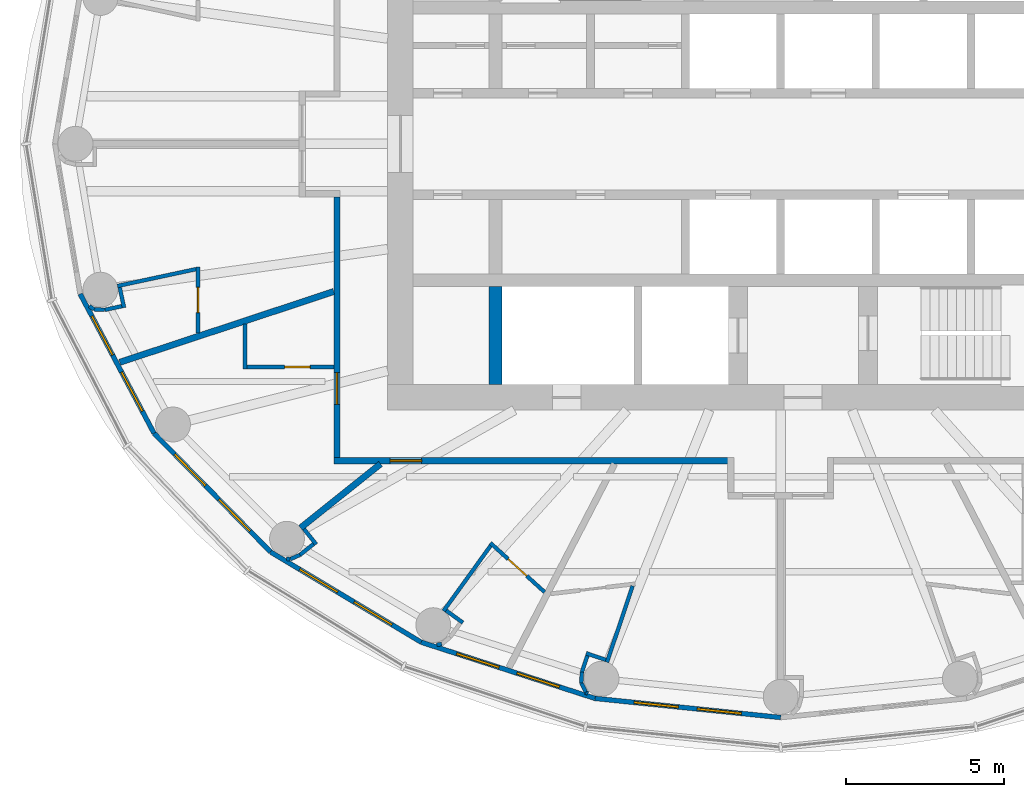
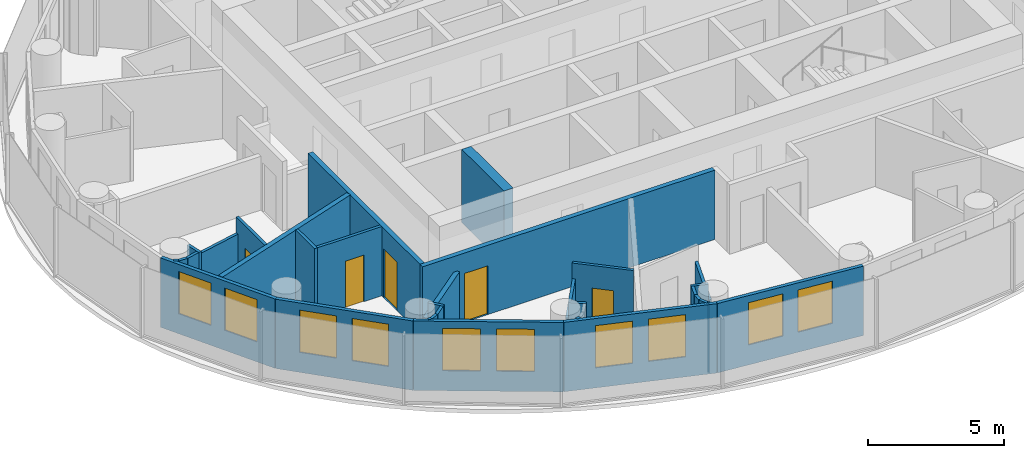
# One storey, part 6 of 13: 32 walls, 10 windows, 5 doors, 15 openings.
"""IFC4 building model written with IfcOpenShell, lengths in metres."""

import ifcopenshell
import ifcopenshell.guid

model = None  # the IFC model being written
_history = None  # IfcOwnerHistory: only IFC2X3 demands one
_inside = {}  # id of a spatial element -> (the spatial element, [elements in it])
_under = {}  # id of a project, library or spatial element -> (it, [spatial elements below it])
_declared = {}  # id of a project -> (the project, [libraries it declares])
_typed = {}  # id of a type object -> (the type object, [elements of that type])
_made_of = {}  # id of a material, layer set ... -> (it, [elements and type objects made of it])


def new_model(schema):
    """Start an empty IFC model of exactly this schema.

    Asked for "IFC4X3", IfcOpenShell would pick the latest addendum, in which some entities
    have other attributes; the version numbers below select the first issue.
    IFC2X3 requires an IfcOwnerHistory on every rooted entity: one is made here for all.
    """
    global model, _history
    if schema == "IFC4X3":
        model = ifcopenshell.file(schema_version=(4, 3, 0, 0))
    else:
        model = ifcopenshell.file(schema=schema)
    _inside.clear()
    _under.clear()
    _declared.clear()
    _typed.clear()
    _made_of.clear()
    _history = None
    if model.schema == "IFC2X3":
        org = make("IfcOrganization", Name="unknown")
        user = make(
            "IfcPersonAndOrganization",
            ThePerson=make("IfcPerson", FamilyName="unknown"),
            TheOrganization=org,
        )
        app = make(
            "IfcApplication",
            ApplicationDeveloper=org,
            Version="unknown",
            ApplicationFullName="unknown",
            ApplicationIdentifier="unknown",
        )
        _history = make(
            "IfcOwnerHistory",
            OwningUser=user,
            OwningApplication=app,
            ChangeAction="ADDED",
            CreationDate=0,
        )
    return model


def make(cls, **values):
    """One entity of the class cls with the attributes given. An attribute that is None is left unset."""
    return model.create_entity(
        cls, **{name: value for name, value in values.items() if value is not None}
    )


def rooted(cls, **values):
    """An entity with a GlobalId (a new one), such as an element, a storey or a relation."""
    return make(cls, GlobalId=ifcopenshell.guid.new(), OwnerHistory=_history, **values)


def si_unit(unit_type, name, prefix=None):
    """IfcSIUnit, for example si_unit("LENGTHUNIT", "METRE", prefix="MILLI")."""
    return make("IfcSIUnit", UnitType=unit_type, Prefix=prefix, Name=name)


def assignment(units):
    """IfcUnitAssignment: the units of a project."""
    return None if units is None else make("IfcUnitAssignment", Units=units)


def point(xyz):
    """IfcCartesianPoint."""
    return None if xyz is None else make("IfcCartesianPoint", Coordinates=xyz)


def direction(xyz):
    """IfcDirection."""
    return None if xyz is None else make("IfcDirection", DirectionRatios=xyz)


def frame(location, z_axis=None, x_axis=None):
    """IfcAxis2Placement3D, a coordinate frame: its origin and axes. An axis left out is left unset."""
    return make(
        "IfcAxis2Placement3D",
        Location=point(location),
        Axis=direction(z_axis),
        RefDirection=direction(x_axis),
    )


def frame_2d(location, x_axis=None):
    """IfcAxis2Placement2D, a coordinate frame in the plane: its origin and x axis."""
    return make(
        "IfcAxis2Placement2D", Location=point(location), RefDirection=direction(x_axis)
    )


def origin():
    """The frame at (0, 0, 0) with its axes left unset."""
    return frame((0.0, 0.0, 0.0))


def place(relative_to, where):
    """IfcLocalPlacement: puts the frame where relative to a parent placement (None: the world)."""
    return make(
        "IfcLocalPlacement", PlacementRelTo=relative_to, RelativePlacement=where
    )


def context(
    kind, dimensions, precision=None, world=None, true_north=None, identifier=None
):
    """IfcGeometricRepresentationContext, for example the 3D "Model" context."""
    return make(
        "IfcGeometricRepresentationContext",
        ContextIdentifier=identifier,
        ContextType=kind,
        CoordinateSpaceDimension=dimensions,
        Precision=precision,
        WorldCoordinateSystem=world,
        TrueNorth=true_north,
    )


def subcontext(parent, identifier, kind, view, scale=None):
    """IfcGeometricRepresentationSubContext, for example "Body" below "Model"."""
    return make(
        "IfcGeometricRepresentationSubContext",
        ContextIdentifier=identifier,
        ContextType=kind,
        ParentContext=parent,
        TargetScale=scale,
        TargetView=view,
    )


def project(units=None, contexts=None):
    """IfcProject with its units and contexts."""
    return rooted(
        "IfcProject",
        Name="project",
        RepresentationContexts=contexts,
        UnitsInContext=assignment(units),
    )


def spatial(cls, under=None, at=None, **own):
    """A site, building, storey or space (cls), placed at a placement, below another one or the project."""
    s = rooted(cls, ObjectPlacement=at, **own)
    if under is not None:
        _under.setdefault(under.id(), (under, []))[1].append(s)
    return s


def profile(cls, at=None, kind="AREA", **sizes):
    """A parametric profile (cls). Its sizes go by their IFC names, for example OverallWidth=200.0."""
    return make(cls, ProfileType=kind, Position=at, **sizes)


def rectangle(**sizes):
    """IfcRectangleProfileDef."""
    return profile("IfcRectangleProfileDef", **sizes)


def extrude(swept, where, along, depth):
    """IfcExtrudedAreaSolid: the profile swept, set in the frame where, extruded along a direction by depth."""
    return make(
        "IfcExtrudedAreaSolid",
        SweptArea=swept,
        Position=where,
        ExtrudedDirection=direction(along),
        Depth=depth,
    )


def shape(context_of_items, identifier, shape_type, items):
    """IfcShapeRepresentation: the items that make up one representation, for example the "Body"."""
    return make(
        "IfcShapeRepresentation",
        ContextOfItems=context_of_items,
        RepresentationIdentifier=identifier,
        RepresentationType=shape_type,
        Items=items,
    )


def material(Name=None, Category=None):
    """IfcMaterial."""
    return make("IfcMaterial", Name=Name, Category=Category)


def layer(
    of_material, thickness, ventilated=None, Name=None, Category=None, Priority=None
):
    """IfcMaterialLayer: one layer of a wall or slab, of a material (None: an air gap)."""
    return make(
        "IfcMaterialLayer",
        Material=of_material,
        LayerThickness=thickness,
        IsVentilated=ventilated,
        Name=Name,
        Category=Category,
        Priority=Priority,
    )


def layer_set(layers, Name=None):
    """IfcMaterialLayerSet."""
    return make("IfcMaterialLayerSet", MaterialLayers=layers, LayerSetName=Name)


def made_of(thing, what):
    """Note that an element or type object is made of a material, layer set ...; save() writes the relation."""
    if what is not None:
        _made_of.setdefault(what.id(), (what, []))[1].append(thing)
    return thing


def type_object(cls, material=None, **own):
    """A type object (cls), such as IfcWallType, which elements share."""
    return made_of(rooted(cls, **own), material)


def element(
    cls,
    number,
    at=None,
    inside=None,
    cuts=None,
    type_object=None,
    material=None,
    context=None,
    identifier="Body",
    shape_type=None,
    held_by="IfcProductDefinitionShape",
    body=None,
    shapes=None,
    **own,
):
    """One element of the class cls, such as IfcWall. Its Tag is "e" and its number.

    at: its placement. inside: the storey or other place that contains it. cuts: it is an
    opening in that element (IfcRelVoidsElement). A single representation is given by context,
    identifier, shape_type and body (its items); several are given by shapes. held_by: the class
    of the entity that holds the representations. save() writes the other relations.
    """
    e = rooted(cls, Tag="e%d" % number, ObjectPlacement=at, **own)
    if body is not None:
        shapes = [shape(context, identifier, shape_type, body)]
    if shapes is not None:
        e.Representation = make(held_by, Representations=shapes)
    if inside is not None:
        _inside.setdefault(inside.id(), (inside, []))[1].append(e)
    if cuts is not None:
        rooted(
            "IfcRelVoidsElement", RelatingBuildingElement=cuts, RelatedOpeningElement=e
        )
    if type_object is not None:
        _typed.setdefault(type_object.id(), (type_object, []))[1].append(e)
    return made_of(e, material)


def fill(opening, filler):
    """IfcRelFillsElement: the door or window that sits in an opening."""
    return rooted(
        "IfcRelFillsElement",
        RelatingOpeningElement=opening,
        RelatedBuildingElement=filler,
    )


def aggregate(whole, parts):
    """IfcRelAggregates: a whole, such as a stair, and the parts it consists of."""
    return rooted("IfcRelAggregates", RelatingObject=whole, RelatedObjects=parts)


def save(model, path):
    """Write the relations noted so far, then the file.

    IfcRelAggregates (storeys below a building ...), IfcRelContainedInSpatialStructure (elements
    in a storey), IfcRelDefinesByType, IfcRelAssociatesMaterial and IfcRelDeclares: one each for
    every whole, place, type object, material and project.
    """
    for whole, parts in _under.values():
        aggregate(whole, parts)
    for where, things in _inside.values():
        rooted(
            "IfcRelContainedInSpatialStructure",
            RelatedElements=things,
            RelatingStructure=where,
        )
    for kind, things in _typed.values():
        rooted("IfcRelDefinesByType", RelatedObjects=things, RelatingType=kind)
    for what, things in _made_of.values():
        rooted("IfcRelAssociatesMaterial", RelatedObjects=things, RelatingMaterial=what)
    for by, libraries in _declared.values():
        rooted("IfcRelDeclares", RelatingContext=by, RelatedDefinitions=libraries)
    model.write(path)


model = new_model("IFC4")

# Units and contexts
model_context = context("Model", 3, precision=1e-05, world=origin(), true_north=direction((0.0, 1.0)))
body_context = subcontext(model_context, "Body", "Model", "MODEL_VIEW")
ifc_project = project(units=[si_unit("LENGTHUNIT", "METRE"), si_unit("AREAUNIT", "SQUARE_METRE"), si_unit("VOLUMEUNIT", "CUBIC_METRE"), si_unit("PLANEANGLEUNIT", "RADIAN"), si_unit("MASSUNIT", "GRAM", prefix="KILO")], contexts=[model_context])

# Site, building, storey
site_placement = place(None, origin())
site = spatial("IfcSite", under=ifc_project, at=site_placement, CompositionType="ELEMENT")
building_placement = place(site_placement, origin())
building = spatial("IfcBuilding", under=site, at=building_placement, Name="Hankou Lantern Tower", CompositionType="ELEMENT")
storey_placement = place(building_placement, frame((0.0, 0.0, 156.60009765625)))
storey = spatial("IfcBuildingStorey", under=building, at=storey_placement, Name="L41", CompositionType="ELEMENT", Elevation=156.60009765625)

# Wall
ifc_material_1 = material(Name="Concrete C60", Category="concrete")
ifc_layer_1 = layer(ifc_material_1, 0.39990234375)
ifc_layer_set_1 = layer_set([ifc_layer_1], Name="Concrete C60")
wall_type_1 = type_object("IfcWallType", Name="CW4 CORE CROSS WALL 400", PredefinedType="SHEAR", material=ifc_layer_set_1)
wall_1_placement = place(storey_placement, frame((-9.0, -7.60009765625, 0.0), z_axis=(0.0, 0.0, 1.0), x_axis=(0.0, 1.0, 0.0)))
element("IfcWall", 1, at=wall_1_placement, inside=storey, type_object=wall_type_1, Name="Core strip wall L41", PredefinedType="SHEAR", context=body_context, shape_type="SweptSolid", body=[
    extrude(rectangle(XDim=3.10009765625, YDim=0.39990234375, at=frame_2d((1.550048828125, 0.0))), origin(), (0.0, 0.0, 1.0), 3.2998046875),
])

# Wall, openings, windows
ifc_material_2 = material(Name="Aluminium spandrel panel on steel studs", Category="steel")
ifc_layer_2 = layer(ifc_material_2, 0.14990234375)
ifc_layer_set_2 = layer_set([ifc_layer_2], Name="Aluminium spandrel panel on steel studs")
wall_type_2 = type_object("IfcWallType", Name="EW1 INNER SKIN WALL 150", PredefinedType="ELEMENTEDWALL", material=ifc_layer_set_2)
wall_2_placement = place(storey_placement, frame((-22.1015625, -4.73779296875, 0.0), z_axis=(0.0, 0.0, 1.0), x_axis=(0.468428906714, -0.883501193748, 0.0)))
wall_2 = element("IfcWall", 2, at=wall_2_placement, inside=storey, type_object=wall_type_2, Name="Inner skin R14-R15 L41", PredefinedType="ELEMENTEDWALL", context=body_context, shape_type="SweptSolid", body=[
    extrude(rectangle(XDim=4.9736328125, YDim=0.14990234375, at=frame_2d((2.48681640625, 0.0))), origin(), (0.0, 0.0, 1.0), 3.119873046875),
])
opening_1_placement = place(wall_2_placement, frame((0.786865234375, 0.0, 0.89990234375)))
opening_1 = element("IfcOpeningElement", 3, at=opening_1_placement, cuts=wall_2, Name="Opening W3", PredefinedType="OPENING", context=body_context, shape_type="SweptSolid", body=[
    extrude(rectangle(XDim=1.39990234375, YDim=1.89990234375, at=frame_2d((0.699951171875, 0.949951171875))), frame((0.0, 0.0849609375, 0.0), z_axis=(0.0, -1.0, 0.0), x_axis=(1.0, 0.0, 0.0)), (0.0, 0.0, 1.0), 0.169921875),
])
opening_2_placement = place(wall_2_placement, frame((2.786865234375, 0.0, 0.89990234375)))
opening_2 = element("IfcOpeningElement", 4, at=opening_2_placement, cuts=wall_2, Name="Opening W3", PredefinedType="OPENING", context=body_context, shape_type="SweptSolid", body=[
    extrude(rectangle(XDim=1.39990234375, YDim=1.89990234375, at=frame_2d((0.699951171875, 0.949951171875))), frame((0.0, 0.0849609375, 0.0), z_axis=(0.0, -1.0, 0.0), x_axis=(1.0, 0.0, 0.0)), (0.0, 0.0, 1.0), 0.169921875),
])
ifc_material_3 = material(Name="Aluminium framed double glazed window", Category="aluminium")
window_type = type_object("IfcWindowType", Name="W3 GUEST ROOM WINDOW 1400X1900", PartitioningType="DOUBLE_PANEL_VERTICAL", PredefinedType="WINDOW", material=ifc_material_3)
window_1_placement = place(opening_1_placement, origin())
window_1 = element("IfcWindow", 5, at=window_1_placement, inside=storey, type_object=window_type, Name="Window R14.1 L41", OverallHeight=1.89990234375, OverallWidth=1.39990234375, PartitioningType="SINGLE_PANEL", PredefinedType="WINDOW", context=body_context, shape_type="SweptSolid", body=[
    extrude(rectangle(XDim=1.39990234375, YDim=1.89990234375, at=frame_2d((0.699951171875, 0.949951171875))), frame((0.0, 0.030029296875, 0.0), z_axis=(0.0, -1.0, 0.0), x_axis=(1.0, 0.0, 0.0)), (0.0, 0.0, 1.0), 0.06005859375),
])
fill(opening_1, window_1)
window_2_placement = place(opening_2_placement, origin())
window_2 = element("IfcWindow", 6, at=window_2_placement, inside=storey, type_object=window_type, Name="Window R14.2 L41", OverallHeight=1.89990234375, OverallWidth=1.39990234375, PartitioningType="SINGLE_PANEL", PredefinedType="WINDOW", context=body_context, shape_type="SweptSolid", body=[
    extrude(rectangle(XDim=1.39990234375, YDim=1.89990234375, at=frame_2d((0.699951171875, 0.949951171875))), frame((0.0, 0.030029296875, 0.0), z_axis=(0.0, -1.0, 0.0), x_axis=(1.0, 0.0, 0.0)), (0.0, 0.0, 1.0), 0.06005859375),
])
fill(opening_2, window_2)

wall_3_placement = place(storey_placement, frame((-19.771728515625, -9.132080078125, 0.0), z_axis=(0.0, 0.0, 1.0), x_axis=(0.700727467776, -0.71342905457, 0.0)))
wall_3 = element("IfcWall", 7, at=wall_3_placement, inside=storey, type_object=wall_type_2, Name="Inner skin R15-R16 L41", PredefinedType="ELEMENTEDWALL", context=body_context, shape_type="SweptSolid", body=[
    extrude(rectangle(XDim=5.247314453125, YDim=0.14990234375, at=frame_2d((2.62353515625, 0.0))), origin(), (0.0, 0.0, 1.0), 3.119873046875),
])
opening_3_placement = place(wall_3_placement, frame((0.923583984375, 0.0, 0.89990234375)))
opening_3 = element("IfcOpeningElement", 8, at=opening_3_placement, cuts=wall_3, Name="Opening W3", PredefinedType="OPENING", context=body_context, shape_type="SweptSolid", body=[
    extrude(rectangle(XDim=1.39990234375, YDim=1.89990234375, at=frame_2d((0.699951171875, 0.949951171875))), frame((0.0, 0.0849609375, 0.0), z_axis=(0.0, -1.0, 0.0), x_axis=(1.0, 0.0, 0.0)), (0.0, 0.0, 1.0), 0.169921875),
])
opening_4_placement = place(wall_3_placement, frame((2.923583984375, 0.0, 0.89990234375)))
opening_4 = element("IfcOpeningElement", 9, at=opening_4_placement, cuts=wall_3, Name="Opening W3", PredefinedType="OPENING", context=body_context, shape_type="SweptSolid", body=[
    extrude(rectangle(XDim=1.39990234375, YDim=1.89990234375, at=frame_2d((0.699951171875, 0.949951171875))), frame((0.0, 0.0849609375, 0.0), z_axis=(0.0, -1.0, 0.0), x_axis=(1.0, 0.0, 0.0)), (0.0, 0.0, 1.0), 0.169921875),
])
window_3_placement = place(opening_3_placement, origin())
window_3 = element("IfcWindow", 10, at=window_3_placement, inside=storey, type_object=window_type, Name="Window R15.1 L41", OverallHeight=1.89990234375, OverallWidth=1.39990234375, PartitioningType="SINGLE_PANEL", PredefinedType="WINDOW", context=body_context, shape_type="SweptSolid", body=[
    extrude(rectangle(XDim=1.39990234375, YDim=1.89990234375, at=frame_2d((0.699951171875, 0.949951171875))), frame((0.0, 0.030029296875, 0.0), z_axis=(0.0, -1.0, 0.0), x_axis=(1.0, 0.0, 0.0)), (0.0, 0.0, 1.0), 0.06005859375),
])
fill(opening_3, window_3)
window_4_placement = place(opening_4_placement, origin())
window_4 = element("IfcWindow", 11, at=window_4_placement, inside=storey, type_object=window_type, Name="Window R15.2 L41", OverallHeight=1.89990234375, OverallWidth=1.39990234375, PartitioningType="SINGLE_PANEL", PredefinedType="WINDOW", context=body_context, shape_type="SweptSolid", body=[
    extrude(rectangle(XDim=1.39990234375, YDim=1.89990234375, at=frame_2d((0.699951171875, 0.949951171875))), frame((0.0, 0.030029296875, 0.0), z_axis=(0.0, -1.0, 0.0), x_axis=(1.0, 0.0, 0.0)), (0.0, 0.0, 1.0), 0.06005859375),
])
fill(opening_4, window_4)

wall_4_placement = place(storey_placement, frame((-16.0947265625, -12.875732421875, 0.0), z_axis=(0.0, 0.0, 1.0), x_axis=(0.857695199231, -0.514158482587, 0.0)))
wall_4 = element("IfcWall", 12, at=wall_4_placement, inside=storey, type_object=wall_type_2, Name="Inner skin R16-R17 L41", PredefinedType="ELEMENTEDWALL", context=body_context, shape_type="SweptSolid", body=[
    extrude(rectangle(XDim=5.5361328125, YDim=0.14990234375, at=frame_2d((2.76806640625, 0.0))), origin(), (0.0, 0.0, 1.0), 3.119873046875),
])
opening_5_placement = place(wall_4_placement, frame((1.068115234375, 0.0, 0.89990234375)))
opening_5 = element("IfcOpeningElement", 13, at=opening_5_placement, cuts=wall_4, Name="Opening W3", PredefinedType="OPENING", context=body_context, shape_type="SweptSolid", body=[
    extrude(rectangle(XDim=1.39990234375, YDim=1.89990234375, at=frame_2d((0.699951171875, 0.949951171875))), frame((0.0, 0.0849609375, 0.0), z_axis=(0.0, -1.0, 0.0), x_axis=(1.0, 0.0, 0.0)), (0.0, 0.0, 1.0), 0.169921875),
])
opening_6_placement = place(wall_4_placement, frame((3.068115234375, 0.0, 0.89990234375)))
opening_6 = element("IfcOpeningElement", 14, at=opening_6_placement, cuts=wall_4, Name="Opening W3", PredefinedType="OPENING", context=body_context, shape_type="SweptSolid", body=[
    extrude(rectangle(XDim=1.39990234375, YDim=1.89990234375, at=frame_2d((0.699951171875, 0.949951171875))), frame((0.0, 0.0849609375, 0.0), z_axis=(0.0, -1.0, 0.0), x_axis=(1.0, 0.0, 0.0)), (0.0, 0.0, 1.0), 0.169921875),
])
window_5_placement = place(opening_5_placement, origin())
window_5 = element("IfcWindow", 15, at=window_5_placement, inside=storey, type_object=window_type, Name="Window R16.1 L41", OverallHeight=1.89990234375, OverallWidth=1.39990234375, PartitioningType="SINGLE_PANEL", PredefinedType="WINDOW", context=body_context, shape_type="SweptSolid", body=[
    extrude(rectangle(XDim=1.39990234375, YDim=1.89990234375, at=frame_2d((0.699951171875, 0.949951171875))), frame((0.0, 0.030029296875, 0.0), z_axis=(0.0, -1.0, 0.0), x_axis=(1.0, 0.0, 0.0)), (0.0, 0.0, 1.0), 0.06005859375),
])
fill(opening_5, window_5)
window_6_placement = place(opening_6_placement, origin())
window_6 = element("IfcWindow", 16, at=window_6_placement, inside=storey, type_object=window_type, Name="Window R16.2 L41", OverallHeight=1.89990234375, OverallWidth=1.39990234375, PartitioningType="SINGLE_PANEL", PredefinedType="WINDOW", context=body_context, shape_type="SweptSolid", body=[
    extrude(rectangle(XDim=1.39990234375, YDim=1.89990234375, at=frame_2d((0.699951171875, 0.949951171875))), frame((0.0, 0.030029296875, 0.0), z_axis=(0.0, -1.0, 0.0), x_axis=(1.0, 0.0, 0.0)), (0.0, 0.0, 1.0), 0.06005859375),
])
fill(opening_6, window_6)

wall_5_placement = place(storey_placement, frame((-11.346435546875, -15.72216796875, 0.0), z_axis=(0.0, 0.0, 1.0), x_axis=(0.951432482129, -0.307857486429, 0.0)))
wall_5 = element("IfcWall", 17, at=wall_5_placement, inside=storey, type_object=wall_type_2, Name="Inner skin R17-R18 L41", PredefinedType="ELEMENTEDWALL", context=body_context, shape_type="SweptSolid", body=[
    extrude(rectangle(XDim=5.76611328125, YDim=0.14990234375, at=frame_2d((2.883056640625, 0.0))), origin(), (0.0, 0.0, 1.0), 3.119873046875),
])
opening_7_placement = place(wall_5_placement, frame((1.18310546875, 0.0, 0.89990234375)))
opening_7 = element("IfcOpeningElement", 18, at=opening_7_placement, cuts=wall_5, Name="Opening W3", PredefinedType="OPENING", context=body_context, shape_type="SweptSolid", body=[
    extrude(rectangle(XDim=1.39990234375, YDim=1.89990234375, at=frame_2d((0.699951171875, 0.949951171875))), frame((0.0, 0.0849609375, 0.0), z_axis=(0.0, -1.0, 0.0), x_axis=(1.0, 0.0, 0.0)), (0.0, 0.0, 1.0), 0.169921875),
])
opening_8_placement = place(wall_5_placement, frame((3.18310546875, 0.0, 0.89990234375)))
opening_8 = element("IfcOpeningElement", 19, at=opening_8_placement, cuts=wall_5, Name="Opening W3", PredefinedType="OPENING", context=body_context, shape_type="SweptSolid", body=[
    extrude(rectangle(XDim=1.39990234375, YDim=1.89990234375, at=frame_2d((0.699951171875, 0.949951171875))), frame((0.0, 0.0849609375, 0.0), z_axis=(0.0, -1.0, 0.0), x_axis=(1.0, 0.0, 0.0)), (0.0, 0.0, 1.0), 0.169921875),
])
window_7_placement = place(opening_7_placement, origin())
window_7 = element("IfcWindow", 20, at=window_7_placement, inside=storey, type_object=window_type, Name="Window R17.1 L41", OverallHeight=1.89990234375, OverallWidth=1.39990234375, PartitioningType="SINGLE_PANEL", PredefinedType="WINDOW", context=body_context, shape_type="SweptSolid", body=[
    extrude(rectangle(XDim=1.39990234375, YDim=1.89990234375, at=frame_2d((0.699951171875, 0.949951171875))), frame((0.0, 0.030029296875, 0.0), z_axis=(0.0, -1.0, 0.0), x_axis=(1.0, 0.0, 0.0)), (0.0, 0.0, 1.0), 0.06005859375),
])
fill(opening_7, window_7)
window_8_placement = place(opening_8_placement, origin())
window_8 = element("IfcWindow", 21, at=window_8_placement, inside=storey, type_object=window_type, Name="Window R17.2 L41", OverallHeight=1.89990234375, OverallWidth=1.39990234375, PartitioningType="SINGLE_PANEL", PredefinedType="WINDOW", context=body_context, shape_type="SweptSolid", body=[
    extrude(rectangle(XDim=1.39990234375, YDim=1.89990234375, at=frame_2d((0.699951171875, 0.949951171875))), frame((0.0, 0.030029296875, 0.0), z_axis=(0.0, -1.0, 0.0), x_axis=(1.0, 0.0, 0.0)), (0.0, 0.0, 1.0), 0.06005859375),
])
fill(opening_8, window_8)

wall_6_placement = place(storey_placement, frame((-5.8603515625, -17.497314453125, 0.0), z_axis=(0.0, 0.0, 1.0), x_axis=(0.994751738032, -0.102318032045, 0.0)))
wall_6 = element("IfcWall", 22, at=wall_6_placement, inside=storey, type_object=wall_type_2, Name="Inner skin R18-R19 L41", PredefinedType="ELEMENTEDWALL", context=body_context, shape_type="SweptSolid", body=[
    extrude(rectangle(XDim=5.891357421875, YDim=0.14990234375, at=frame_2d((2.94580078125, 0.0))), origin(), (0.0, 0.0, 1.0), 3.119873046875),
])
opening_9_placement = place(wall_6_placement, frame((1.24560546875, 0.0, 0.89990234375)))
opening_9 = element("IfcOpeningElement", 23, at=opening_9_placement, cuts=wall_6, Name="Opening W3", PredefinedType="OPENING", context=body_context, shape_type="SweptSolid", body=[
    extrude(rectangle(XDim=1.39990234375, YDim=1.89990234375, at=frame_2d((0.699951171875, 0.949951171875))), frame((0.0, 0.0849609375, 0.0), z_axis=(0.0, -1.0, 0.0), x_axis=(1.0, 0.0, 0.0)), (0.0, 0.0, 1.0), 0.169921875),
])
opening_10_placement = place(wall_6_placement, frame((3.24560546875, 0.0, 0.89990234375)))
opening_10 = element("IfcOpeningElement", 24, at=opening_10_placement, cuts=wall_6, Name="Opening W3", PredefinedType="OPENING", context=body_context, shape_type="SweptSolid", body=[
    extrude(rectangle(XDim=1.39990234375, YDim=1.89990234375, at=frame_2d((0.699951171875, 0.949951171875))), frame((0.0, 0.0849609375, 0.0), z_axis=(0.0, -1.0, 0.0), x_axis=(1.0, 0.0, 0.0)), (0.0, 0.0, 1.0), 0.169921875),
])
window_9_placement = place(opening_9_placement, origin())
window_9 = element("IfcWindow", 25, at=window_9_placement, inside=storey, type_object=window_type, Name="Window R18.1 L41", OverallHeight=1.89990234375, OverallWidth=1.39990234375, PartitioningType="SINGLE_PANEL", PredefinedType="WINDOW", context=body_context, shape_type="SweptSolid", body=[
    extrude(rectangle(XDim=1.39990234375, YDim=1.89990234375, at=frame_2d((0.699951171875, 0.949951171875))), frame((0.0, 0.030029296875, 0.0), z_axis=(0.0, -1.0, 0.0), x_axis=(1.0, 0.0, 0.0)), (0.0, 0.0, 1.0), 0.06005859375),
])
fill(opening_9, window_9)
window_10_placement = place(opening_10_placement, origin())
window_10 = element("IfcWindow", 26, at=window_10_placement, inside=storey, type_object=window_type, Name="Window R18.2 L41", OverallHeight=1.89990234375, OverallWidth=1.39990234375, PartitioningType="SINGLE_PANEL", PredefinedType="WINDOW", context=body_context, shape_type="SweptSolid", body=[
    extrude(rectangle(XDim=1.39990234375, YDim=1.89990234375, at=frame_2d((0.699951171875, 0.949951171875))), frame((0.0, 0.030029296875, 0.0), z_axis=(0.0, -1.0, 0.0), x_axis=(1.0, 0.0, 0.0)), (0.0, 0.0, 1.0), 0.06005859375),
])
fill(opening_10, window_10)

# Walls
ifc_material_4 = material(Name="Masonry lightweight concrete block", Category="masonry")
ifc_layer_3 = layer(ifc_material_4, 0.199951171875)
ifc_layer_set_3 = layer_set([ifc_layer_3], Name="Masonry lightweight concrete block")
wall_type_3 = type_object("IfcWallType", Name="IW1 GUEST ROOM PARTY WALL 200", PredefinedType="PARTITIONING", material=ifc_layer_set_3)
wall_7_placement = place(storey_placement, frame((-14.10009765625, -4.661376953125, 0.0), z_axis=(0.0, 0.0, 1.0), x_axis=(-0.949453216399, -0.313908569285, 0.0)))
element("IfcWall", 27, at=wall_7_placement, inside=storey, type_object=wall_type_3, Name="Party wall R14-R15", PredefinedType="PARTITIONING", context=body_context, shape_type="SweptSolid", body=[
    extrude(rectangle(XDim=7.108642578125, YDim=0.199951171875, at=frame_2d((3.55419921875, 0.0))), origin(), (0.0, 0.0, 1.0), 3.119873046875),
])
wall_8_placement = place(storey_placement, frame((-12.625, -10.10009765625, 0.0), z_axis=(0.0, 0.0, 1.0), x_axis=(-0.780876185034, -0.624685827954, 0.0)))
element("IfcWall", 28, at=wall_8_placement, inside=storey, type_object=wall_type_3, Name="Party wall R16", PredefinedType="PARTITIONING", context=body_context, shape_type="SweptSolid", body=[
    extrude(rectangle(XDim=3.229248046875, YDim=0.199951171875, at=frame_2d((1.61474609375, 0.0))), origin(), (0.0, 0.0, 1.0), 2.419921875),
])

# Wall, opening, door
ifc_material_5 = material(Name="Masonry lightweight concrete block", Category="masonry")
ifc_layer_4 = layer(ifc_material_5, 0.199951171875)
ifc_layer_set_4 = layer_set([ifc_layer_4], Name="Masonry lightweight concrete block")
wall_type_4 = type_object("IfcWallType", Name="IW2 CORRIDOR WALL 200", PredefinedType="PARTITIONING", material=ifc_layer_set_4)
wall_9_placement = place(storey_placement, frame((-14.0, -1.669921875, 0.0), z_axis=(0.0, 0.0, 1.0), x_axis=(0.0, -1.0, 0.0)))
wall_9 = element("IfcWall", 29, at=wall_9_placement, inside=storey, type_object=wall_type_4, Name="Corridor wall west", PredefinedType="PARTITIONING", context=body_context, shape_type="SweptSolid", body=[
    extrude(rectangle(XDim=8.22998046875, YDim=0.199951171875, at=frame_2d((4.114990234375, 0.0))), origin(), (0.0, 0.0, 1.0), 3.119873046875),
])
opening_11_placement = place(wall_9_placement, frame((5.551513671875, 0.0, 0.0)))
opening_11 = element("IfcOpeningElement", 30, at=opening_11_placement, cuts=wall_9, Name="Opening D1", PredefinedType="OPENING", context=body_context, shape_type="SweptSolid", body=[
    extrude(rectangle(XDim=1.0, YDim=2.199951171875, at=frame_2d((0.5, 1.10009765625))), frame((0.0, 0.10986328125, 0.0), z_axis=(0.0, -1.0, 0.0), x_axis=(1.0, 0.0, 0.0)), (0.0, 0.0, 1.0), 0.219970703125),
])
ifc_material_6 = material(Name="Steel door leaf", Category="steel")
door_type_1 = type_object("IfcDoorType", Name="D1 GUEST ROOM DOOR 1000X2200", OperationType="SINGLE_SWING_LEFT", PredefinedType="DOOR", material=ifc_material_6)
door_1_placement = place(opening_11_placement, origin())
door_1 = element("IfcDoor", 31, at=door_1_placement, inside=storey, type_object=door_type_1, Name="Guest room door 4105", OperationType="SINGLE_SWING_RIGHT", OverallHeight=2.199951171875, OverallWidth=1.0, PredefinedType="DOOR", context=body_context, shape_type="SweptSolid", body=[
    extrude(rectangle(XDim=1.0, YDim=2.199951171875, at=frame_2d((0.5, 1.10009765625))), frame((0.0, 0.02490234375, 0.0), z_axis=(0.0, -1.0, 0.0), x_axis=(1.0, 0.0, 0.0)), (0.0, 0.0, 1.0), 0.050048828125),
])
fill(opening_11, door_1)

wall_10_placement = place(storey_placement, frame((-1.669921875, -10.0, 0.0), z_axis=(0.0, 0.0, 1.0), x_axis=(-1.0, 0.0, 0.0)))
wall_10 = element("IfcWall", 32, at=wall_10_placement, inside=storey, type_object=wall_type_4, Name="Corridor wall south", PredefinedType="PARTITIONING", context=body_context, shape_type="SweptSolid", body=[
    extrude(rectangle(XDim=12.43017578125, YDim=0.199951171875, at=frame_2d((6.215087890625, 0.0))), origin(), (0.0, 0.0, 1.0), 3.119873046875),
])
opening_12_placement = place(wall_10_placement, frame((9.655029296875, 0.0, 0.0)))
opening_12 = element("IfcOpeningElement", 33, at=opening_12_placement, cuts=wall_10, Name="Opening D1", PredefinedType="OPENING", context=body_context, shape_type="SweptSolid", body=[
    extrude(rectangle(XDim=1.0, YDim=2.199951171875, at=frame_2d((0.5, 1.10009765625))), frame((0.0, 0.10986328125, 0.0), z_axis=(0.0, -1.0, 0.0), x_axis=(1.0, 0.0, 0.0)), (0.0, 0.0, 1.0), 0.219970703125),
])
door_2_placement = place(opening_12_placement, origin())
door_2 = element("IfcDoor", 34, at=door_2_placement, inside=storey, type_object=door_type_1, Name="Guest room door 4106", OperationType="SINGLE_SWING_LEFT", OverallHeight=2.199951171875, OverallWidth=1.0, PredefinedType="DOOR", context=body_context, shape_type="SweptSolid", body=[
    extrude(rectangle(XDim=1.0, YDim=2.199951171875, at=frame_2d((0.5, 1.10009765625))), frame((0.0, 0.02490234375, 0.0), z_axis=(0.0, -1.0, 0.0), x_axis=(1.0, 0.0, 0.0)), (0.0, 0.0, 1.0), 0.050048828125),
])
fill(opening_12, door_2)

ifc_material_7 = material(Name="Masonry lightweight concrete block", Category="masonry")
ifc_layer_5 = layer(ifc_material_7, 0.1201171875)
ifc_layer_set_5 = layer_set([ifc_layer_5], Name="Masonry lightweight concrete block")
wall_type_5 = type_object("IfcWallType", Name="IW3 BATHROOM WALL 120", PredefinedType="PARTITIONING", material=ifc_layer_set_5)
wall_11_placement = place(storey_placement, frame((-18.380859375, -5.971435546875, 0.0), z_axis=(0.0, 0.0, 1.0), x_axis=(-0.000934142516, 0.999999563689, 0.0)))
wall_11 = element("IfcWall", 35, at=wall_11_placement, inside=storey, type_object=wall_type_5, Name="Box wall 4104 1", PredefinedType="PARTITIONING", context=body_context, shape_type="SweptSolid", body=[
    extrude(rectangle(XDim=2.0908203125, YDim=0.1201171875, at=frame_2d((1.04541015625, 0.0))), origin(), (0.0, 0.0, 1.0), 3.119873046875),
])
opening_13_placement = place(wall_11_placement, frame((0.6455078125, 0.0, 0.0)))
opening_13 = element("IfcOpeningElement", 36, at=opening_13_placement, cuts=wall_11, Name="Opening D3", PredefinedType="OPENING", context=body_context, shape_type="SweptSolid", body=[
    extrude(rectangle(XDim=0.800048828125, YDim=2.10009765625, at=frame_2d((0.39990234375, 1.050048828125))), frame((0.0, 0.070068359375, 0.0), z_axis=(0.0, -1.0, 0.0), x_axis=(1.0, 0.0, 0.0)), (0.0, 0.0, 1.0), 0.14013671875),
])
ifc_material_8 = material(Name="Timber door leaf", Category="wood")
door_type_2 = type_object("IfcDoorType", Name="D3 BATHROOM DOOR 800X2100", OperationType="SINGLE_SWING_LEFT", PredefinedType="DOOR", material=ifc_material_8)
door_3_placement = place(opening_13_placement, origin())
door_3 = element("IfcDoor", 37, at=door_3_placement, inside=storey, type_object=door_type_2, Name="En-suite bathroom 4104 door", OperationType="SINGLE_SWING_RIGHT", OverallHeight=2.10009765625, OverallWidth=0.800048828125, PredefinedType="DOOR", context=body_context, shape_type="SweptSolid", body=[
    extrude(rectangle(XDim=0.800048828125, YDim=2.10009765625, at=frame_2d((0.39990234375, 1.050048828125))), frame((0.0, 0.02490234375, 0.0), z_axis=(0.0, -1.0, 0.0), x_axis=(1.0, 0.0, 0.0)), (0.0, 0.0, 1.0), 0.050048828125),
])
fill(opening_13, door_3)

# Walls
wall_12_placement = place(storey_placement, frame((-18.44140625, -3.953125, 0.0), z_axis=(0.0, 0.0, 1.0), x_axis=(-0.977801007461, -0.209535652833, 0.0)))
element("IfcWall", 38, at=wall_12_placement, inside=storey, type_object=wall_type_5, Name="Box wall 4104 2", PredefinedType="PARTITIONING", context=body_context, shape_type="SweptSolid", body=[
    extrude(rectangle(XDim=2.5400390625, YDim=0.1201171875, at=frame_2d((1.27001953125, 0.0))), origin(), (0.0, 0.0, 1.0), 2.419921875),
])
wall_13_placement = place(storey_placement, frame((-20.853759765625, -4.531494140625, 0.0), z_axis=(0.0, 0.0, 1.0), x_axis=(0.209631346779, -0.977780496046, 0.0)))
element("IfcWall", 39, at=wall_13_placement, inside=storey, type_object=wall_type_5, Name="Column casing 4104 return", PredefinedType="PARTITIONING", context=body_context, shape_type="SweptSolid", body=[
    extrude(rectangle(XDim=0.652099609375, YDim=0.1201171875, at=frame_2d((0.326171875, 0.0))), origin(), (0.0, 0.0, 1.0), 3.119873046875),
])
wall_14_placement = place(storey_placement, frame((-20.788330078125, -5.123291015625, 0.0), z_axis=(0.0, 0.0, 1.0), x_axis=(-0.977789415726, -0.209589738521, 0.0)))
element("IfcWall", 40, at=wall_14_placement, inside=storey, type_object=wall_type_5, Name="Column casing 4104", PredefinedType="PARTITIONING", context=body_context, shape_type="SweptSolid", body=[
    extrude(rectangle(XDim=0.5498046875, YDim=0.1201171875, at=frame_2d((0.27490234375, 0.0))), origin(), (0.0, 0.0, 1.0), 3.119873046875),
])
wall_15_placement = place(storey_placement, frame((-21.325927734375, -5.238525390625, 0.0), z_axis=(0.0, 0.0, 1.0), x_axis=(-0.998719689441, 0.050586380797, 0.0)))
element("IfcWall", 41, at=wall_15_placement, inside=storey, type_object=wall_type_5, Name="Column casing 4104", PredefinedType="PARTITIONING", context=body_context, shape_type="SweptSolid", body=[
    extrude(rectangle(XDim=0.337890625, YDim=0.1201171875, at=frame_2d((0.1689453125, 0.0))), origin(), (0.0, 0.0, 1.0), 3.119873046875),
])
wall_16_placement = place(storey_placement, frame((-21.663330078125, -5.221435546875, 0.0), z_axis=(0.0, 0.0, 1.0), x_axis=(-0.839279022252, 0.543700949795, 0.0)))
element("IfcWall", 42, at=wall_16_placement, inside=storey, type_object=wall_type_5, Name="Column casing 4104", PredefinedType="PARTITIONING", context=body_context, shape_type="SweptSolid", body=[
    extrude(rectangle(XDim=0.18017578125, YDim=0.1201171875, at=frame_2d((0.090087890625, 0.0))), origin(), (0.0, 0.0, 1.0), 3.119873046875),
])
wall_17_placement = place(storey_placement, frame((-16.89990234375, -5.687255859375, 0.0), z_axis=(0.0, 0.0, 1.0), x_axis=(0.0, -1.0, 0.0)))
element("IfcWall", 43, at=wall_17_placement, inside=storey, type_object=wall_type_5, Name="Box wall 4105 1", PredefinedType="PARTITIONING", context=body_context, shape_type="SweptSolid", body=[
    extrude(rectangle(XDim=1.414306640625, YDim=0.1201171875, at=frame_2d((0.70703125, 0.0))), origin(), (0.0, 0.0, 1.0), 3.119873046875),
])

# Wall, opening, door
wall_18_placement = place(storey_placement, frame((-14.10009765625, -7.04150390625, 0.0), z_axis=(0.0, 0.0, 1.0), x_axis=(-1.0, 0.0, 0.0)))
wall_18 = element("IfcWall", 44, at=wall_18_placement, inside=storey, type_object=wall_type_5, Name="Box wall 4105 1", PredefinedType="PARTITIONING", context=body_context, shape_type="SweptSolid", body=[
    extrude(rectangle(XDim=2.739990234375, YDim=0.1201171875, at=frame_2d((1.3701171875, 0.0))), origin(), (0.0, 0.0, 1.0), 3.119873046875),
])
opening_14_placement = place(wall_18_placement, frame((0.75, 0.0, 0.0)))
opening_14 = element("IfcOpeningElement", 45, at=opening_14_placement, cuts=wall_18, Name="Opening D3", PredefinedType="OPENING", context=body_context, shape_type="SweptSolid", body=[
    extrude(rectangle(XDim=0.800048828125, YDim=2.10009765625, at=frame_2d((0.39990234375, 1.050048828125))), frame((0.0, 0.070068359375, 0.0), z_axis=(0.0, -1.0, 0.0), x_axis=(1.0, 0.0, 0.0)), (0.0, 0.0, 1.0), 0.14013671875),
])
door_4_placement = place(opening_14_placement, origin())
door_4 = element("IfcDoor", 46, at=door_4_placement, inside=storey, type_object=door_type_2, Name="En-suite bathroom 4105 door", OperationType="SINGLE_SWING_LEFT", OverallHeight=2.10009765625, OverallWidth=0.800048828125, PredefinedType="DOOR", context=body_context, shape_type="SweptSolid", body=[
    extrude(rectangle(XDim=0.800048828125, YDim=2.10009765625, at=frame_2d((0.39990234375, 1.050048828125))), frame((0.0, 0.02490234375, 0.0), z_axis=(0.0, -1.0, 0.0), x_axis=(1.0, 0.0, 0.0)), (0.0, 0.0, 1.0), 0.050048828125),
])
fill(opening_14, door_4)

wall_19_placement = place(storey_placement, frame((-7.44970703125, -14.1416015625, 0.0), z_axis=(0.0, 0.0, 1.0), x_axis=(-0.74113984586, 0.671350675041, 0.0)))
wall_19 = element("IfcWall", 47, at=wall_19_placement, inside=storey, type_object=wall_type_5, Name="Box wall 4106 1", PredefinedType="PARTITIONING", context=body_context, shape_type="SweptSolid", body=[
    extrude(rectangle(XDim=2.308837890625, YDim=0.1201171875, at=frame_2d((1.154296875, 0.0))), origin(), (0.0, 0.0, 1.0), 3.119873046875),
])
opening_15_placement = place(wall_19_placement, frame((0.75439453125, 0.0, 0.0)))
opening_15 = element("IfcOpeningElement", 48, at=opening_15_placement, cuts=wall_19, Name="Opening D3", PredefinedType="OPENING", context=body_context, shape_type="SweptSolid", body=[
    extrude(rectangle(XDim=0.800048828125, YDim=2.10009765625, at=frame_2d((0.39990234375, 1.050048828125))), frame((0.0, 0.070068359375, 0.0), z_axis=(0.0, -1.0, 0.0), x_axis=(1.0, 0.0, 0.0)), (0.0, 0.0, 1.0), 0.14013671875),
])
door_5_placement = place(opening_15_placement, origin())
door_5 = element("IfcDoor", 49, at=door_5_placement, inside=storey, type_object=door_type_2, Name="En-suite bathroom 4106 door", OperationType="SINGLE_SWING_RIGHT", OverallHeight=2.10009765625, OverallWidth=0.800048828125, PredefinedType="DOOR", context=body_context, shape_type="SweptSolid", body=[
    extrude(rectangle(XDim=0.800048828125, YDim=2.10009765625, at=frame_2d((0.39990234375, 1.050048828125))), frame((0.0, 0.02490234375, 0.0), z_axis=(0.0, -1.0, 0.0), x_axis=(1.0, 0.0, 0.0)), (0.0, 0.0, 1.0), 0.050048828125),
])
fill(opening_15, door_5)

# Walls
wall_20_placement = place(storey_placement, frame((-9.1513671875, -12.6806640625, 0.0), z_axis=(0.0, 0.0, 1.0), x_axis=(-0.585258912334, -0.8108464747, 0.0)))
element("IfcWall", 50, at=wall_20_placement, inside=storey, type_object=wall_type_5, Name="Box wall 4106 2", PredefinedType="PARTITIONING", context=body_context, shape_type="SweptSolid", body=[
    extrude(rectangle(XDim=2.5400390625, YDim=0.1201171875, at=frame_2d((1.27001953125, 0.0))), origin(), (0.0, 0.0, 1.0), 2.419921875),
])
wall_21_placement = place(storey_placement, frame((-10.55419921875, -14.726806640625, 0.0), z_axis=(0.0, 0.0, 1.0), x_axis=(0.811044231224, -0.584984833135, 0.0)))
element("IfcWall", 51, at=wall_21_placement, inside=storey, type_object=wall_type_5, Name="Column casing 4106 return", PredefinedType="PARTITIONING", context=body_context, shape_type="SweptSolid", body=[
    extrude(rectangle(XDim=0.65234375, YDim=0.1201171875, at=frame_2d((0.326171875, 0.0))), origin(), (0.0, 0.0, 1.0), 3.119873046875),
])
wall_22_placement = place(storey_placement, frame((-10.692626953125, -15.78125, 0.0), z_axis=(0.0, 0.0, 1.0), x_axis=(-0.987256785332, -0.159135287777, 0.0)))
element("IfcWall", 52, at=wall_22_placement, inside=storey, type_object=wall_type_5, Name="Column casing 4106", PredefinedType="PARTITIONING", context=body_context, shape_type="SweptSolid", body=[
    extrude(rectangle(XDim=0.157958984375, YDim=0.1201171875, at=frame_2d((0.0791015625, 0.0))), origin(), (0.0, 0.0, 1.0), 3.119873046875),
])
wall_23_placement = place(storey_placement, frame((-4.67138671875, -13.947509765625, 0.0), z_axis=(0.0, 0.0, 1.0), x_axis=(-0.317669167093, -0.948201613729, 0.0)))
element("IfcWall", 53, at=wall_23_placement, inside=storey, type_object=wall_type_5, Name="Box wall 4107 2", PredefinedType="PARTITIONING", context=body_context, shape_type="SweptSolid", body=[
    extrude(rectangle(XDim=2.5400390625, YDim=0.1201171875, at=frame_2d((1.27001953125, 0.0))), origin(), (0.0, 0.0, 1.0), 2.419921875),
])
wall_24_placement = place(storey_placement, frame((-5.51611328125, -16.280029296875, 0.0), z_axis=(0.0, 0.0, 1.0), x_axis=(-0.948157944392, 0.317799484717, 0.0)))
element("IfcWall", 54, at=wall_24_placement, inside=storey, type_object=wall_type_5, Name="Column casing 4107 return", PredefinedType="PARTITIONING", context=body_context, shape_type="SweptSolid", body=[
    extrude(rectangle(XDim=0.652099609375, YDim=0.1201171875, at=frame_2d((0.326171875, 0.0))), origin(), (0.0, 0.0, 1.0), 3.119873046875),
])
wall_25_placement = place(storey_placement, frame((-6.0966796875, -16.148681640625, 0.0), z_axis=(0.0, 0.0, 1.0), x_axis=(-0.317292604854, -0.948327687514, 0.0)))
element("IfcWall", 55, at=wall_25_placement, inside=storey, type_object=wall_type_5, Name="Column casing 4107", PredefinedType="PARTITIONING", context=body_context, shape_type="SweptSolid", body=[
    extrude(rectangle(XDim=0.550048828125, YDim=0.1201171875, at=frame_2d((0.27490234375, 0.0))), origin(), (0.0, 0.0, 1.0), 3.119873046875),
])
for number, where, z_axis, x_axis, name in (
    (56, (-6.271240234375, -16.67041015625, 0.0), (0.0, 0.0, 1.0), (-0.061477694849, -0.998108457552, 0.0), "Column casing 4107"),
    (57, (-6.2919921875, -17.00732421875, 0.0), (0.0, 0.0, 1.0), (0.445477128334, -0.895293319606, 0.0), "Column casing 4107"),
):
    element("IfcWall", number, at=place(storey_placement, frame(where, z_axis=z_axis, x_axis=x_axis)), inside=storey, type_object=wall_type_5, Name=name, PredefinedType="PARTITIONING", context=body_context, shape_type="SweptSolid", body=[
        extrude(rectangle(XDim=0.337646484375, YDim=0.1201171875, at=frame_2d((0.1689453125, 0.0))), origin(), (0.0, 0.0, 1.0), 3.119873046875),
    ])
wall_26_placement = place(storey_placement, frame((-6.1416015625, -17.3095703125, 0.0), z_axis=(0.0, 0.0, 1.0), x_axis=(0.835039693181, -0.550189704386, 0.0)))
element("IfcWall", 58, at=wall_26_placement, inside=storey, type_object=wall_type_5, Name="Column casing 4107", PredefinedType="PARTITIONING", context=body_context, shape_type="SweptSolid", body=[
    extrude(rectangle(XDim=0.0625, YDim=0.1201171875, at=frame_2d((0.03125, 0.0))), origin(), (0.0, 0.0, 1.0), 3.119873046875),
])
ifc_material_9 = material(Name="Masonry lightweight concrete block", Category="masonry")
ifc_layer_6 = layer(ifc_material_9, 0.1201171875)
ifc_layer_set_6 = layer_set([ifc_layer_6], Name="Masonry lightweight concrete block")
wall_type_6 = type_object("IfcWallType", Name="IW4 PARTITION 120", PredefinedType="PARTITIONING", material=ifc_layer_set_6)
wall_27_placement = place(storey_placement, frame((-15.037353515625, -12.157958984375, 0.0), z_axis=(0.0, 0.0, 1.0), x_axis=(0.624840920722, -0.78075208856, 0.0)))
element("IfcWall", 59, at=wall_27_placement, inside=storey, type_object=wall_type_6, Name="Column casing R16 return", PredefinedType="PARTITIONING", context=body_context, shape_type="SweptSolid", body=[
    extrude(rectangle(XDim=0.6123046875, YDim=0.1201171875, at=frame_2d((0.30615234375, 0.0))), origin(), (0.0, 0.0, 1.0), 3.119873046875),
])
wall_28_placement = place(storey_placement, frame((-14.7392578125, -12.626708984375, 0.0), z_axis=(0.0, 0.0, 1.0), x_axis=(-0.780912119987, -0.624640905527, 0.0)))
element("IfcWall", 60, at=wall_28_placement, inside=storey, type_object=wall_type_6, Name="Column casing R16", PredefinedType="PARTITIONING", context=body_context, shape_type="SweptSolid", body=[
    extrude(rectangle(XDim=0.5498046875, YDim=0.1201171875, at=frame_2d((0.27490234375, 0.0))), origin(), (0.0, 0.0, 1.0), 3.119873046875),
])
wall_29_placement = place(storey_placement, frame((-15.168701171875, -12.97021484375, 0.0), z_axis=(0.0, 0.0, 1.0), x_axis=(-0.915974725257, -0.401235968838, 0.0)))
element("IfcWall", 61, at=wall_29_placement, inside=storey, type_object=wall_type_6, Name="Column casing R16", PredefinedType="PARTITIONING", context=body_context, shape_type="SweptSolid", body=[
    extrude(rectangle(XDim=0.337646484375, YDim=0.1201171875, at=frame_2d((0.1689453125, 0.0))), origin(), (0.0, 0.0, 1.0), 3.119873046875),
])
wall_30_placement = place(storey_placement, frame((-15.47802734375, -13.105712890625, 0.0), z_axis=(0.0, 0.0, 1.0), x_axis=(-0.993778813557, 0.111371763588, 0.0)))
element("IfcWall", 62, at=wall_30_placement, inside=storey, type_object=wall_type_6, Name="Column casing R16", PredefinedType="PARTITIONING", context=body_context, shape_type="SweptSolid", body=[
    extrude(rectangle(XDim=0.114013671875, YDim=0.1201171875, at=frame_2d((0.05712890625, 0.0))), origin(), (0.0, 0.0, 1.0), 3.119873046875),
])

save(model, "model.ifc")
